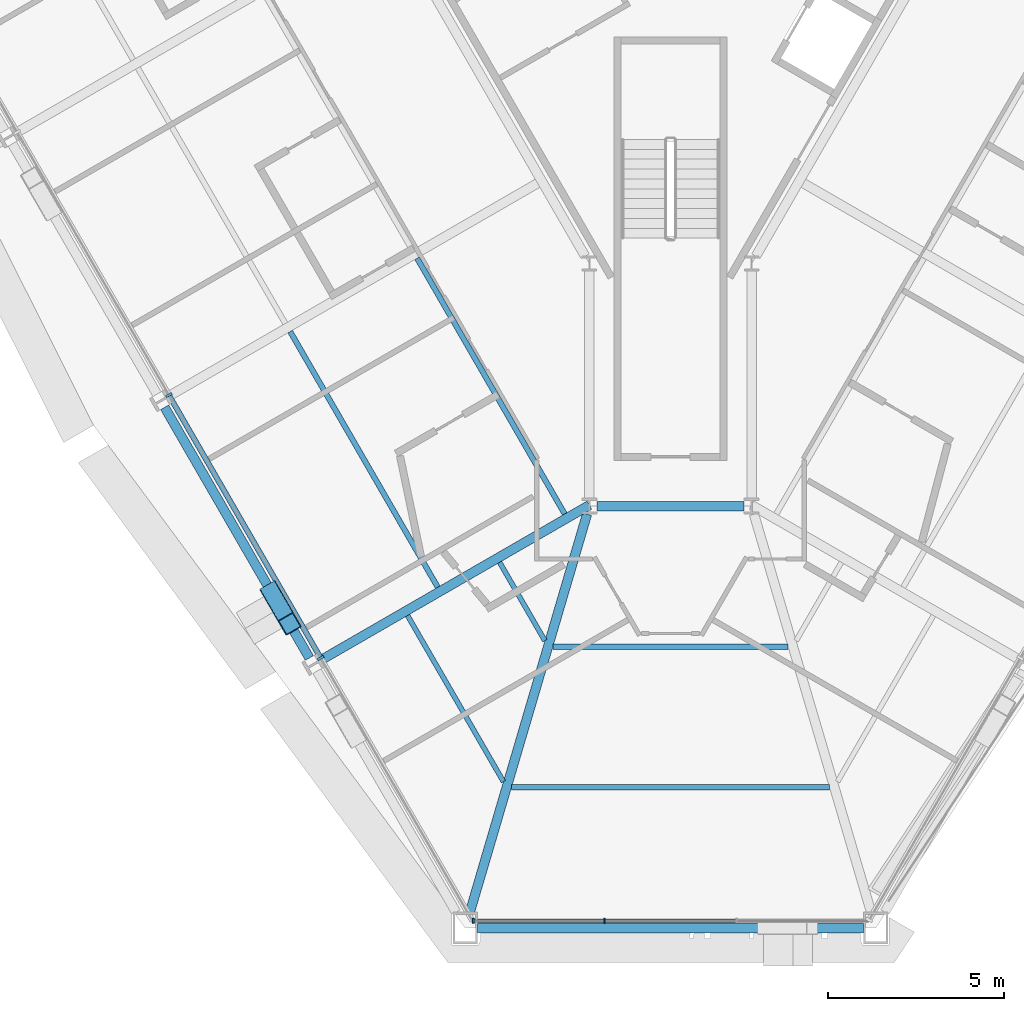
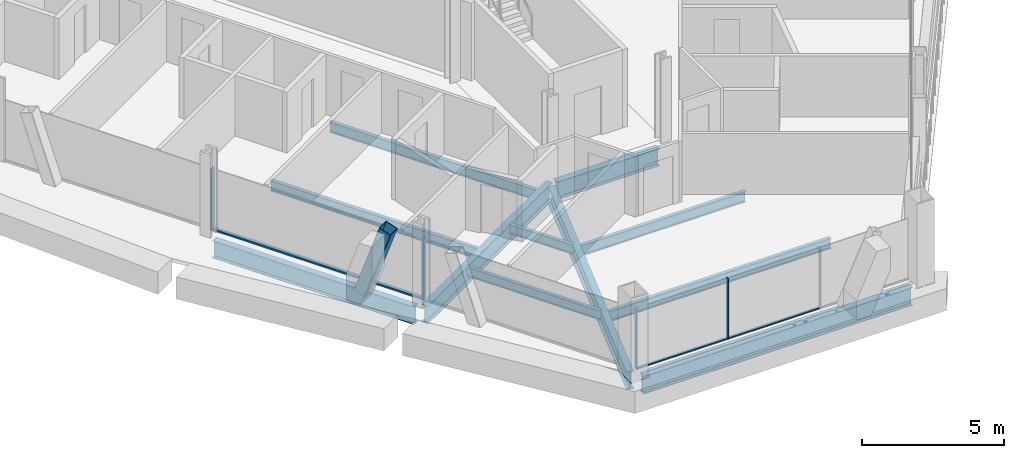
# One storey, part 3 of 18: 11 beams, 8 members, 2 elements without a shape of their own.
"""IFC4 building model written with IfcOpenShell, lengths in metres."""

from ifc_helpers import new_model, si_unit, direction, frame, origin, origin_2d, place, context, subcontext, project, spatial, rectangle, hollow_rectangle, i_section, extrude, material, material_profile, profile_set, type_object, element, aggregate, save


model = new_model("IFC4")

# Units and contexts
model_context = context("Model", 3, precision=1e-05, world=origin(), true_north=direction((0.0, 1.0)))
body_context = subcontext(model_context, "Body", "Model", "MODEL_VIEW")
ifc_project = project(units=[si_unit("LENGTHUNIT", "METRE"), si_unit("AREAUNIT", "SQUARE_METRE"), si_unit("VOLUMEUNIT", "CUBIC_METRE"), si_unit("PLANEANGLEUNIT", "RADIAN"), si_unit("MASSUNIT", "GRAM", prefix="KILO")], contexts=[model_context])

# Site, building, storey
site_placement = place(None, origin())
site = spatial("IfcSite", under=ifc_project, at=site_placement, CompositionType="ELEMENT")
building_placement = place(site_placement, origin())
building = spatial("IfcBuilding", under=site, at=building_placement, Name="Verrane Prism Tower", CompositionType="ELEMENT")
storey_placement = place(building_placement, frame((0.0, 0.0, 80.0)))
storey = spatial("IfcBuildingStorey", under=building, at=storey_placement, Name="L18", CompositionType="ELEMENT", Elevation=80.0)

# Beams
ifc_material_1 = material(Name="Steel A992", Category="steel")
ifc_material_profile_1 = material_profile(ifc_material_1, i_section(OverallWidth=0.2666015625, OverallDepth=0.76708984375, WebThickness=0.014892578125, FlangeThickness=0.023681640625, FilletRadius=0.0166015625, at=origin_2d()), Name="W30x124")
ifc_profile_set_1 = profile_set([ifc_material_profile_1], Name="Steel A992")
beam_type_1 = type_object("IfcBeamType", Name="Chamfer spandrel beam W30x124", PredefinedType="SPANDREL", material=ifc_profile_set_1)
beam_1_placement = place(storey_placement, frame((-5.469970703125, -33.260009765625, -0.54345703125), z_axis=(1.0, 0.0, 0.0), x_axis=(0.0, 1.0, 0.0)))
element("IfcBeam", 1, at=beam_1_placement, inside=storey, type_object=beam_type_1, Name="Chamfer spandrel beam L18", PredefinedType="SPANDREL", context=body_context, shape_type="SweptSolid", body=[
    extrude(i_section(OverallWidth=0.2666015625, OverallDepth=0.76708984375, WebThickness=0.014892578125, FlangeThickness=0.023681640625, FilletRadius=0.0166015625, at=origin_2d()), origin(), (0.0, 0.0, 1.0), 10.93994140625),
])
ifc_material_2 = material(Name="Steel A992", Category="steel")
ifc_material_profile_2 = material_profile(ifc_material_2, i_section(OverallWidth=0.2666015625, OverallDepth=0.7568359375, WebThickness=0.013916015625, FlangeThickness=0.019287109375, FilletRadius=0.0166015625, at=origin_2d()), Name="W30x108")
ifc_profile_set_2 = profile_set([ifc_material_profile_2], Name="Steel A992")
beam_type_2 = type_object("IfcBeamType", Name="Core ring girder W30x108", PredefinedType="BEAM", material=ifc_profile_set_2)
beam_2_placement = place(storey_placement, frame((-2.09033203125, -21.300048828125, -0.62841796875), z_axis=(1.0, 0.0, 0.0), x_axis=(0.0, 1.0, 0.0)))
element("IfcBeam", 2, at=beam_2_placement, inside=storey, type_object=beam_type_2, Name="Core ring girder L18", PredefinedType="BEAM", context=body_context, shape_type="SweptSolid", body=[
    extrude(i_section(OverallWidth=0.2666015625, OverallDepth=0.7568359375, WebThickness=0.013916015625, FlangeThickness=0.019287109375, FilletRadius=0.0166015625, at=origin_2d()), origin(), (0.0, 0.0, 1.0), 4.1806640625),
])
ifc_material_3 = material(Name="Steel A992", Category="steel")
ifc_material_profile_3 = material_profile(ifc_material_3, i_section(OverallWidth=0.2666015625, OverallDepth=0.76708984375, WebThickness=0.014892578125, FlangeThickness=0.023681640625, FilletRadius=0.0166015625, at=origin_2d()), Name="W30x124")
ifc_profile_set_3 = profile_set([ifc_material_profile_3], Name="Steel A992")
beam_type_3 = type_object("IfcBeamType", Name="Corner girder W30x124", PredefinedType="BEAM", material=ifc_profile_set_3)
beam_3_placement = place(storey_placement, frame((-5.6875, -32.809814453125, -0.603515625), z_axis=(0.282337147907, 0.959315242718, 0.0), x_axis=(-0.959315242718, 0.282337147907, 0.0)))
element("IfcBeam", 3, at=beam_3_placement, inside=storey, type_object=beam_type_3, Name="Corner girder L18", PredefinedType="BEAM", context=body_context, shape_type="SweptSolid", body=[
    extrude(i_section(OverallWidth=0.2666015625, OverallDepth=0.76708984375, WebThickness=0.014892578125, FlangeThickness=0.023681640625, FilletRadius=0.0166015625, at=origin_2d()), origin(), (0.0, 0.0, 1.0), 11.760986328125),
])

# Member
ifc_material_4 = material(Name="Steel A1085 Grade A", Category="steel")
ifc_material_profile_4 = material_profile(ifc_material_4, hollow_rectangle(XDim=0.508056640625, YDim=0.508056640625, WallThickness=0.025390625, InnerFilletRadius=0.0126953125, OuterFilletRadius=0.0380859375, at=origin_2d()), Name="HSS20x20x1")
ifc_profile_set_4 = profile_set([ifc_material_profile_4], Name="Steel A1085 Grade A")
member_type_1 = type_object("IfcMemberType", Name="Facade brace HSS20x20x1", PredefinedType="BRACE", material=ifc_profile_set_4)
member_1_placement = place(storey_placement, frame((-11.313720703125, -23.74072265625, -0.24267578125), z_axis=(0.162217175995, -0.28075163872, 0.945972571044), x_axis=(0.86585823575, 0.500289431813, 0.0)))
element("IfcMember", 4, at=member_1_placement, inside=storey, type_object=member_type_1, Name="Facade brace SW4 L18", PredefinedType="BRACE", context=body_context, shape_type="SweptSolid", body=[
    extrude(hollow_rectangle(XDim=0.508056640625, YDim=0.508056640625, WallThickness=0.025390625, InnerFilletRadius=0.0126953125, OuterFilletRadius=0.0380859375, at=origin_2d()), origin(), (0.0, 0.0, 1.0), 3.18017578125),
])

# Beams
ifc_material_5 = material(Name="Steel A992", Category="steel")
ifc_material_profile_5 = material_profile(ifc_material_5, i_section(OverallWidth=0.140380859375, OverallDepth=0.40380859375, WebThickness=0.007080078125, FlangeThickness=0.01123046875, FilletRadius=0.01025390625, at=origin_2d()), Name="W16x31")
ifc_profile_set_5 = profile_set([ifc_material_profile_5], Name="Steel A992")
beam_type_4 = type_object("IfcBeamType", Name="Floor beam W16x31", PredefinedType="BEAM", material=ifc_profile_set_5)
beam_4_placement = place(storey_placement, frame((-3.5615234375, -25.11376953125, -0.36181640625), z_axis=(-0.500019079056, 0.866014388206, 0.0), x_axis=(-0.866014388206, -0.500019079056, 0.0)))
element("IfcBeam", 5, at=beam_4_placement, inside=storey, type_object=beam_type_4, Name="Floor beam L18", PredefinedType="BEAM", context=body_context, shape_type="SweptSolid", body=[
    extrude(i_section(OverallWidth=0.140380859375, OverallDepth=0.40380859375, WebThickness=0.007080078125, FlangeThickness=0.01123046875, FilletRadius=0.01025390625, at=origin_2d()), origin(), (0.0, 0.0, 1.0), 2.56494140625),
])
beam_5_placement = place(storey_placement, frame((-4.73681640625, -29.107177734375, -0.36181640625), z_axis=(-0.500003687357, 0.866023274877, 0.0), x_axis=(-0.866023274877, -0.500003687357, 0.0)))
element("IfcBeam", 6, at=beam_5_placement, inside=storey, type_object=beam_type_4, Name="Floor beam L18", PredefinedType="BEAM", context=body_context, shape_type="SweptSolid", body=[
    extrude(i_section(OverallWidth=0.140380859375, OverallDepth=0.40380859375, WebThickness=0.007080078125, FlangeThickness=0.01123046875, FilletRadius=0.01025390625, at=origin_2d()), origin(), (0.0, 0.0, 1.0), 5.435546875),
])
ifc_material_6 = material(Name="Steel A992", Category="steel")
ifc_material_profile_6 = material_profile(ifc_material_6, i_section(OverallWidth=0.15234375, OverallDepth=0.449462890625, WebThickness=0.007568359375, FlangeThickness=0.0107421875, FilletRadius=0.01025390625, at=origin_2d()), Name="W18x35")
ifc_profile_set_6 = profile_set([ifc_material_profile_6], Name="Steel A992")
beam_type_5 = type_object("IfcBeamType", Name="Floor beam W18x35", PredefinedType="BEAM", material=ifc_profile_set_6)
beam_6_placement = place(storey_placement, frame((-2.9990234375, -21.519287109375, -0.384765625), z_axis=(-0.499998569178, 0.866026229868, 0.0), x_axis=(-0.866026229868, -0.499998569178, 0.0)))
element("IfcBeam", 7, at=beam_6_placement, inside=storey, type_object=beam_type_5, Name="Floor beam L18", PredefinedType="BEAM", context=body_context, shape_type="SweptSolid", body=[
    extrude(i_section(OverallWidth=0.15234375, OverallDepth=0.449462890625, WebThickness=0.007568359375, FlangeThickness=0.0107421875, FilletRadius=0.01025390625, at=origin_2d()), origin(), (0.0, 0.0, 1.0), 8.3681640625),
])
beam_7_placement = place(storey_placement, frame((-6.598388671875, -23.59716796875, -0.384765625), z_axis=(-0.50000104701, 0.866024799292, 0.0), x_axis=(-0.866024799292, -0.50000104701, 0.0)))
element("IfcBeam", 8, at=beam_7_placement, inside=storey, type_object=beam_type_5, Name="Floor beam L18", PredefinedType="BEAM", context=body_context, shape_type="SweptSolid", body=[
    extrude(i_section(OverallWidth=0.15234375, OverallDepth=0.449462890625, WebThickness=0.007568359375, FlangeThickness=0.0107421875, FilletRadius=0.01025390625, at=origin_2d()), origin(), (0.0, 0.0, 1.0), 8.36962890625),
])
beam_8_placement = place(storey_placement, frame((-4.507568359375, -29.273193359375, -0.384765625), z_axis=(1.0, 0.0, 0.0), x_axis=(0.0, 1.0, 0.0)))
element("IfcBeam", 9, at=beam_8_placement, inside=storey, type_object=beam_type_5, Name="Floor beam L18", PredefinedType="BEAM", context=body_context, shape_type="SweptSolid", body=[
    extrude(i_section(OverallWidth=0.15234375, OverallDepth=0.449462890625, WebThickness=0.007568359375, FlangeThickness=0.0107421875, FilletRadius=0.01025390625, at=origin_2d()), origin(), (0.0, 0.0, 1.0), 9.01513671875),
])
beam_9_placement = place(storey_placement, frame((-3.334228515625, -25.28662109375, -0.384765625), z_axis=(1.0, 0.0, 0.0), x_axis=(0.0, 1.0, 0.0)))
element("IfcBeam", 10, at=beam_9_placement, inside=storey, type_object=beam_type_5, Name="Floor beam L18", PredefinedType="BEAM", context=body_context, shape_type="SweptSolid", body=[
    extrude(i_section(OverallWidth=0.15234375, OverallDepth=0.449462890625, WebThickness=0.007568359375, FlangeThickness=0.0107421875, FilletRadius=0.01025390625, at=origin_2d()), origin(), (0.0, 0.0, 1.0), 6.66845703125),
])

# Curtain wall, members
ifc_material_7 = material(Name="Aluminium framed insulated glazing", Category="aluminium")
curtain_wall_type_1 = type_object("IfcCurtainWallType", Name="Curtain wall CW-C 4200 module", PredefinedType="NOTDEFINED", material=ifc_material_7)
curtain_wall_1_placement = place(storey_placement, origin())
curtain_wall_1 = element("IfcCurtainWall", 11, at=curtain_wall_1_placement, inside=storey, type_object=curtain_wall_type_1, Name="Glazed curtain wall south corner L18", PredefinedType="NOTDEFINED")
ifc_material_8 = material(Name="Aluminium alloy 6063-T6", Category="aluminium")
ifc_material_profile_7 = material_profile(ifc_material_8, rectangle(XDim=0.139892578125, YDim=0.050048828125, at=origin_2d()), Name="Mullion 50x140 aluminium")
ifc_profile_set_7 = profile_set([ifc_material_profile_7], Name="Aluminium alloy 6063-T6")
member_type_2 = type_object("IfcMemberType", Name="Mullion 50x140 aluminium", PredefinedType="MULLION", material=ifc_profile_set_7)
member_2_placement = place(storey_placement, frame((-5.5888671875, -33.058349609375, 0.0), z_axis=(0.0, 0.0, 1.0), x_axis=(0.0, 1.0, 0.0)))
member_2 = element("IfcMember", 12, at=member_2_placement, type_object=member_type_2, Name="CW17.5 mullion 1", PredefinedType="MULLION", context=body_context, shape_type="SweptSolid", body=[
    extrude(rectangle(XDim=0.139892578125, YDim=0.050048828125, at=origin_2d()), origin(), (0.0, 0.0, 1.0), 2.61279296875),
])
member_3_placement = place(storey_placement, frame((-1.871337890625, -33.058349609375, 0.0), z_axis=(0.0, 0.0, 1.0), x_axis=(0.0, 1.0, 0.0)))
member_3 = element("IfcMember", 13, at=member_3_placement, type_object=member_type_2, Name="CW17.5 mullion 2", PredefinedType="MULLION", context=body_context, shape_type="SweptSolid", body=[
    extrude(rectangle(XDim=0.139892578125, YDim=0.050048828125, at=origin_2d()), origin(), (0.0, 0.0, 1.0), 2.61279296875),
])

ifc_material_9 = material(Name="Aluminium framed insulated glazing", Category="aluminium")
curtain_wall_type_2 = type_object("IfcCurtainWallType", Name="Curtain wall CW-A 8400 module", PredefinedType="NOTDEFINED", material=ifc_material_9)
curtain_wall_2_placement = place(storey_placement, origin())
curtain_wall_2 = element("IfcCurtainWall", 14, at=curtain_wall_2_placement, inside=storey, type_object=curtain_wall_type_2, Name="Glazed curtain wall south-west face L18", PredefinedType="NOTDEFINED")
ifc_material_10 = material(Name="Aluminium alloy 6063-T6", Category="aluminium")
ifc_material_profile_8 = material_profile(ifc_material_10, rectangle(XDim=0.199951171875, YDim=0.070068359375, at=origin_2d()), Name="Mullion 70x200 aluminium")
ifc_profile_set_8 = profile_set([ifc_material_profile_8], Name="Aluminium alloy 6063-T6")
member_type_3 = type_object("IfcMemberType", Name="Mullion 70x200 aluminium", PredefinedType="MULLION", material=ifc_profile_set_8)
member_4_placement = place(storey_placement, frame((-14.221435546875, -18.14990234375, 0.0), z_axis=(0.0, 0.0, 1.0), x_axis=(0.866025845387, 0.499999235121, 0.0)))
member_4 = element("IfcMember", 15, at=member_4_placement, type_object=member_type_3, Name="CW17.4 mullion 5", PredefinedType="MULLION", context=body_context, shape_type="SweptSolid", body=[
    extrude(rectangle(XDim=0.199951171875, YDim=0.070068359375, at=origin_2d()), origin(), (0.0, 0.0, 1.0), 2.61279296875),
])
member_5_placement = place(storey_placement, frame((-9.917724609375, -25.60400390625, 0.0), z_axis=(0.0, 0.0, 1.0), x_axis=(0.866025845387, 0.499999235121, 0.0)))
member_5 = element("IfcMember", 16, at=member_5_placement, type_object=member_type_3, Name="CW17.4 mullion 6", PredefinedType="MULLION", context=body_context, shape_type="SweptSolid", body=[
    extrude(rectangle(XDim=0.199951171875, YDim=0.070068359375, at=origin_2d()), origin(), (0.0, 0.0, 1.0), 2.61279296875),
])

# Beams
ifc_material_11 = material(Name="Steel A992", Category="steel")
ifc_material_profile_9 = material_profile(ifc_material_11, i_section(OverallWidth=0.2666015625, OverallDepth=0.76708984375, WebThickness=0.014892578125, FlangeThickness=0.023681640625, FilletRadius=0.0166015625, at=origin_2d()), Name="W30x124")
ifc_profile_set_9 = profile_set([ifc_material_profile_9], Name="Steel A992")
beam_type_6 = type_object("IfcBeamType", Name="Radial girder W30x124", PredefinedType="BEAM", material=ifc_profile_set_9)
beam_10_placement = place(storey_placement, frame((-9.914306640625, -25.66552734375, -0.603515625), z_axis=(0.866018191792, 0.50001249133, 0.0), x_axis=(-0.50001249133, 0.866018191792, 0.0)))
element("IfcBeam", 17, at=beam_10_placement, inside=storey, type_object=beam_type_6, Name="Radial girder L18", PredefinedType="BEAM", context=body_context, shape_type="SweptSolid", body=[
    extrude(i_section(OverallWidth=0.2666015625, OverallDepth=0.76708984375, WebThickness=0.014892578125, FlangeThickness=0.023681640625, FilletRadius=0.0166015625, at=origin_2d()), origin(), (0.0, 0.0, 1.0), 8.792236328125),
])
ifc_material_12 = material(Name="Steel A992", Category="steel")
ifc_material_profile_10 = material_profile(ifc_material_12, i_section(OverallWidth=0.2666015625, OverallDepth=0.7568359375, WebThickness=0.013916015625, FlangeThickness=0.019287109375, FilletRadius=0.0166015625, at=origin_2d()), Name="W30x108")
ifc_profile_set_10 = profile_set([ifc_material_profile_10], Name="Steel A992")
beam_type_7 = type_object("IfcBeamType", Name="Spandrel beam W30x108", PredefinedType="SPANDREL", material=ifc_profile_set_10)
beam_11_placement = place(storey_placement, frame((-14.342041015625, -18.4970703125, -0.53857421875), z_axis=(0.500125912756, -0.865952695816, 0.0), x_axis=(0.865952695816, 0.500125912756, 0.0)))
element("IfcBeam", 18, at=beam_11_placement, inside=storey, type_object=beam_type_7, Name="Spandrel beam L18", PredefinedType="SPANDREL", context=body_context, shape_type="SweptSolid", body=[
    extrude(i_section(OverallWidth=0.2666015625, OverallDepth=0.7568359375, WebThickness=0.013916015625, FlangeThickness=0.019287109375, FilletRadius=0.0166015625, at=origin_2d()), origin(), (0.0, 0.0, 1.0), 8.2060546875),
])

# Member
ifc_material_13 = material(Name="Aluminium alloy 6063-T6", Category="aluminium")
ifc_material_profile_11 = material_profile(ifc_material_13, rectangle(XDim=0.10009765625, YDim=0.050048828125, at=origin_2d()), Name="Transom 50x100 aluminium")
ifc_profile_set_11 = profile_set([ifc_material_profile_11], Name="Aluminium alloy 6063-T6")
member_type_4 = type_object("IfcMemberType", Name="Transom 50x100 aluminium", PredefinedType="USERDEFINED", material=ifc_profile_set_11)
member_6_placement = place(storey_placement, frame((-5.56396484375, -33.058349609375, 0.02490234375), z_axis=(1.0, 0.0, 0.0), x_axis=(0.0, 1.0, 0.0)))
member_6 = element("IfcMember", 19, at=member_6_placement, type_object=member_type_4, Name="CW17.5 transom 1", ObjectType="TRANSOM", PredefinedType="USERDEFINED", context=body_context, shape_type="SweptSolid", body=[
    extrude(rectangle(XDim=0.10009765625, YDim=0.050048828125, at=origin_2d()), origin(), (0.0, 0.0, 1.0), 3.667724609375),
])

member_7_placement = place(storey_placement, frame((-1.84619140625, -33.058349609375, 0.02490234375), z_axis=(1.0, 0.0, 0.0), x_axis=(0.0, 1.0, 0.0)))
member_7 = element("IfcMember", 20, at=member_7_placement, type_object=member_type_4, Name="CW17.5 transom 2", ObjectType="TRANSOM", PredefinedType="USERDEFINED", context=body_context, shape_type="SweptSolid", body=[
    extrude(rectangle(XDim=0.10009765625, YDim=0.050048828125, at=origin_2d()), origin(), (0.0, 0.0, 1.0), 3.6923828125),
])

aggregate(curtain_wall_1, [member_2, member_3, member_6, member_7])

ifc_material_14 = material(Name="Aluminium alloy 6063-T6", Category="aluminium")
ifc_material_profile_12 = material_profile(ifc_material_14, rectangle(XDim=0.14990234375, YDim=0.070068359375, at=origin_2d()), Name="Transom 70x150 aluminium")
ifc_profile_set_12 = profile_set([ifc_material_profile_12], Name="Aluminium alloy 6063-T6")
member_type_5 = type_object("IfcMemberType", Name="Transom 70x150 aluminium", PredefinedType="USERDEFINED", material=ifc_profile_set_12)
member_8_placement = place(storey_placement, frame((-14.203857421875, -18.18017578125, 0.034912109375), z_axis=(0.50001124802, -0.866018909639, 0.0), x_axis=(0.866018909639, 0.50001124802, 0.0)))
member_8 = element("IfcMember", 21, at=member_8_placement, type_object=member_type_5, Name="CW17.4 transom 5", ObjectType="TRANSOM", PredefinedType="USERDEFINED", context=body_context, shape_type="SweptSolid", body=[
    extrude(rectangle(XDim=0.14990234375, YDim=0.070068359375, at=origin_2d()), origin(), (0.0, 0.0, 1.0), 8.537353515625),
])

aggregate(curtain_wall_2, [member_4, member_5, member_8])

save(model, "model.ifc")
